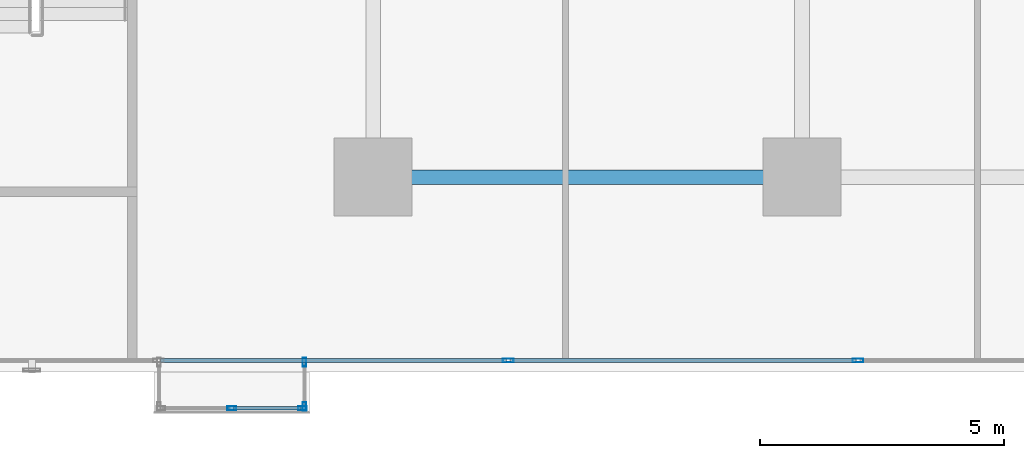
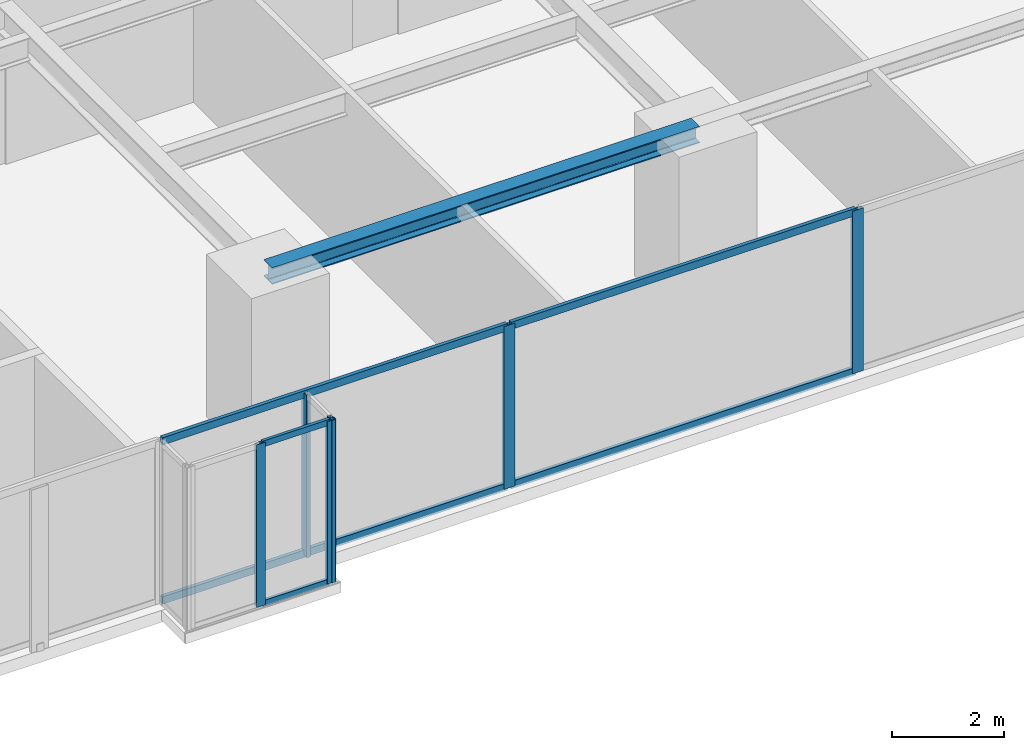
# One storey, part 9 of 30: 12 members, 1 beam, 3 elements without a shape of their own.
"""IFC4 building model written with IfcOpenShell, lengths in metres."""

from ifc_helpers import new_model, si_unit, direction, frame, origin, origin_with_axes, origin_2d, place, context, subcontext, project, spatial, hollow_rectangle, i_section, extrude, source, transform, mapped, material, layer, layer_set, material_profile, profile_set, type_object, element, aggregate, save


model = new_model("IFC4")

# Units and contexts
model_context = context("Model", 3, precision=1e-05, world=origin(), true_north=direction((0.0, 1.0)))
body_context = subcontext(model_context, "Body", "Model", "MODEL_VIEW")
ifc_project = project(units=[si_unit("LENGTHUNIT", "METRE"), si_unit("AREAUNIT", "SQUARE_METRE"), si_unit("VOLUMEUNIT", "CUBIC_METRE"), si_unit("PLANEANGLEUNIT", "RADIAN"), si_unit("MASSUNIT", "GRAM", prefix="KILO")], contexts=[model_context])

# Site, building, storey
site_placement = place(None, origin())
site = spatial("IfcSite", under=ifc_project, at=site_placement, CompositionType="ELEMENT")
building_placement = place(site_placement, origin())
building = spatial("IfcBuilding", under=site, at=building_placement, Name="Kolvaren Waterfront Exchange", CompositionType="ELEMENT")
storey_placement = place(building_placement, frame((0.0, 0.0, 52.39990234375)))
storey = spatial("IfcBuildingStorey", under=building, at=storey_placement, Name="L13", CompositionType="ELEMENT", Elevation=52.39990234375)

# Beam
ifc_material_1 = material(Name="Steel S355", Category="steel")
ifc_material_profile_1 = material_profile(ifc_material_1, i_section(OverallWidth=0.300048828125, OverallDepth=0.360107421875, WebThickness=0.012451171875, FlangeThickness=0.0224609375, FilletRadius=0.027099609375, at=origin_2d()), Name="HEB360")
ifc_profile_set_1 = profile_set([ifc_material_profile_1], Name="Steel S355")
beam_type = type_object("IfcBeamType", Name="STR-BM-HEB360", PredefinedType="SPANDREL", material=ifc_profile_set_1)
beam_placement = place(storey_placement, frame((36.800048828125, 5.199951171875, 3.360107421875), z_axis=(1.0, 0.0, 0.0), x_axis=(0.0, 1.0, 0.0)))
element("IfcBeam", 1, at=beam_placement, inside=storey, type_object=beam_type, Name="L13 east-arm spandrel S3", PredefinedType="SPANDREL", context=body_context, shape_type="SweptSolid", body=[
    extrude(i_section(OverallWidth=0.300048828125, OverallDepth=0.360107421875, WebThickness=0.012451171875, FlangeThickness=0.0224609375, FilletRadius=0.027099609375, at=origin_2d()), origin(), (0.0, 0.0, 1.0), 8.800048828125),
])

# Curtain wall, members
ifc_material_2 = material(Name="Anodised bronze aluminium 6063-T6", Category="aluminium")
ifc_layer_1 = layer(ifc_material_2, 0.219970703125, Name="Anodised bronze aluminium 6063-T6")
ifc_layer_set_1 = layer_set([ifc_layer_1], Name="Anodised bronze aluminium 6063-T6")
curtain_wall_type_1 = type_object("IfcCurtainWallType", Name="ARC-CW-SYS1", PredefinedType="USERDEFINED", material=ifc_layer_set_1)
curtain_wall_1_placement = place(storey_placement, origin())
curtain_wall_1 = element("IfcCurtainWall", 2, at=curtain_wall_1_placement, inside=storey, type_object=curtain_wall_type_1, Name="L13 stick curtain wall CW1 (CW-L13-S)", ObjectType="STICK CURTAIN WALL", PredefinedType="USERDEFINED")
ifc_material_3 = material(Name="Anodised aluminium 6063-T6", Category="aluminium")
ifc_material_profile_2 = material_profile(ifc_material_3, hollow_rectangle(XDim=0.074951171875, YDim=0.159912109375, WallThickness=0.00439453125, at=origin_2d()), Name="ALU-TRN-160x75x4.5")
ifc_profile_set_2 = profile_set([ifc_material_profile_2], Name="Anodised aluminium 6063-T6")
member_type_1 = type_object("IfcMemberType", Name="ARC-CWT-160", PredefinedType="USERDEFINED", material=ifc_profile_set_2)
shared_shape_1 = source(origin_with_axes(), body_context, "Body", "SweptSolid", [
    extrude(hollow_rectangle(XDim=0.074951171875, YDim=0.159912109375, WallThickness=0.00439453125, at=origin_2d()), origin(), (0.0, 0.0, 1.0), 7.094970703125),
])
member_1_placement = place(storey_placement, frame((32.43994140625, 1.43994140625, 0.03759765625), z_axis=(1.0, 0.0, 0.0), x_axis=(0.0, 1.0, 0.0)))
member_1 = element("IfcMember", 3, at=member_1_placement, type_object=member_type_1, Name="CW1 transom 5.1", ObjectType="TRANSOM", PredefinedType="USERDEFINED", context=body_context, shape_type="MappedRepresentation", body=[
    mapped(shared_shape_1, transform((0.0, 0.0, 0.0), x_axis=(1.0, 0.0, 0.0), y_axis=(0.0, 1.0, 0.0), z_axis=(0.0, 0.0, 1.0), scale=1.0)),
])
member_2_placement = place(storey_placement, frame((32.43994140625, 1.43994140625, 3.502685546875), z_axis=(1.0, 0.0, 0.0), x_axis=(0.0, 1.0, 0.0)))
member_2 = element("IfcMember", 4, at=member_2_placement, type_object=member_type_1, Name="CW1 transom 5.2", ObjectType="TRANSOM", PredefinedType="USERDEFINED", context=body_context, shape_type="MappedRepresentation", body=[
    mapped(shared_shape_1, transform((0.0, 0.0, 0.0), x_axis=(1.0, 0.0, 0.0), y_axis=(0.0, 1.0, 0.0), z_axis=(0.0, 0.0, 1.0), scale=1.0)),
])
member_3_placement = place(storey_placement, frame((39.614990234375, 1.43994140625, 0.03759765625), z_axis=(1.0, 0.0, 0.0), x_axis=(0.0, 1.0, 0.0)))
member_3 = element("IfcMember", 5, at=member_3_placement, type_object=member_type_1, Name="CW1 transom 6.1", ObjectType="TRANSOM", PredefinedType="USERDEFINED", context=body_context, shape_type="MappedRepresentation", body=[
    mapped(shared_shape_1, transform((0.0, 0.0, 0.0), x_axis=(1.0, 0.0, 0.0), y_axis=(0.0, 1.0, 0.0), z_axis=(0.0, 0.0, 1.0), scale=1.0)),
])
member_4_placement = place(storey_placement, frame((39.614990234375, 1.43994140625, 3.502685546875), z_axis=(1.0, 0.0, 0.0), x_axis=(0.0, 1.0, 0.0)))
member_4 = element("IfcMember", 6, at=member_4_placement, type_object=member_type_1, Name="CW1 transom 6.2", ObjectType="TRANSOM", PredefinedType="USERDEFINED", context=body_context, shape_type="MappedRepresentation", body=[
    mapped(shared_shape_1, transform((0.0, 0.0, 0.0), x_axis=(1.0, 0.0, 0.0), y_axis=(0.0, 1.0, 0.0), z_axis=(0.0, 0.0, 1.0), scale=1.0)),
])

ifc_layer_2 = layer(ifc_material_2, 0.219970703125, Name="Anodised bronze aluminium 6063-T6")
ifc_layer_set_2 = layer_set([ifc_layer_2], Name="Anodised bronze aluminium 6063-T6")
curtain_wall_type_2 = type_object("IfcCurtainWallType", Name="ARC-CW-SYS3", PredefinedType="USERDEFINED", material=ifc_layer_set_2)
curtain_wall_2_placement = place(storey_placement, origin())
curtain_wall_2 = element("IfcCurtainWall", 7, at=curtain_wall_2_placement, inside=storey, type_object=curtain_wall_type_2, Name="L13 stick curtain wall CW3 (CW-L13-BOX)", ObjectType="STICK CURTAIN WALL", PredefinedType="USERDEFINED")
ifc_material_profile_3 = material_profile(ifc_material_2, hollow_rectangle(XDim=0.074951171875, YDim=0.179931640625, WallThickness=0.00439453125, at=origin_2d()), Name="ALU-MUL-180x75x4.5")
ifc_profile_set_3 = profile_set([ifc_material_profile_3], Name="Anodised bronze aluminium 6063-T6")
member_type_2 = type_object("IfcMemberType", Name="ARC-CWM-180", PredefinedType="MULLION", material=ifc_profile_set_3)
shared_shape_2 = source(origin_with_axes(), body_context, "Body", "SweptSolid", [
    extrude(hollow_rectangle(XDim=0.074951171875, YDim=0.179931640625, WallThickness=0.00439453125, at=origin_2d()), origin(), (0.0, 0.0, 1.0), 3.5400390625),
])
member_5_placement = place(storey_placement, frame((33.89990234375, 0.4599609375, 0.0), z_axis=(0.0, 0.0, 1.0), x_axis=(0.0, 1.0, 0.0)))
member_5 = element("IfcMember", 8, at=member_5_placement, type_object=member_type_2, Name="CW3 mullion 2", PredefinedType="MULLION", context=body_context, shape_type="MappedRepresentation", body=[
    mapped(shared_shape_2, transform((0.0, 0.0, 0.0), x_axis=(1.0, 0.0, 0.0), y_axis=(0.0, 1.0, 0.0), z_axis=(0.0, 0.0, 1.0), scale=1.0)),
])
member_6_placement = place(storey_placement, frame((35.3525390625, 0.4599609375, 0.0), z_axis=(0.0, 0.0, 1.0), x_axis=(0.0, 1.0, 0.0)))
member_6 = element("IfcMember", 9, at=member_6_placement, type_object=member_type_2, Name="CW3 mullion 3", PredefinedType="MULLION", context=body_context, shape_type="MappedRepresentation", body=[
    mapped(shared_shape_2, transform((0.0, 0.0, 0.0), x_axis=(1.0, 0.0, 0.0), y_axis=(0.0, 1.0, 0.0), z_axis=(0.0, 0.0, 1.0), scale=1.0)),
])

curtain_wall_3_placement = place(storey_placement, origin())
curtain_wall_3 = element("IfcCurtainWall", 10, at=curtain_wall_3_placement, inside=storey, type_object=curtain_wall_type_2, Name="L13 stick curtain wall CW3 (CW-L13-BOX-E)", ObjectType="STICK CURTAIN WALL", PredefinedType="USERDEFINED")
member_7_placement = place(storey_placement, frame((35.389892578125, 0.49755859375, 0.0), z_axis=(0.0, 0.0, 1.0), x_axis=(-1.0, 0.0, 0.0)))
member_7 = element("IfcMember", 11, at=member_7_placement, type_object=member_type_2, Name="CW3 mullion 1", PredefinedType="MULLION", context=body_context, shape_type="MappedRepresentation", body=[
    mapped(shared_shape_2, transform((0.0, 0.0, 0.0), x_axis=(1.0, 0.0, 0.0), y_axis=(0.0, 1.0, 0.0), z_axis=(0.0, 0.0, 1.0), scale=1.0)),
])
member_8_placement = place(storey_placement, frame((35.389892578125, 1.402587890625, 0.0), z_axis=(0.0, 0.0, 1.0), x_axis=(-1.0, 0.0, 0.0)))
member_8 = element("IfcMember", 12, at=member_8_placement, type_object=member_type_2, Name="CW3 mullion 2", PredefinedType="MULLION", context=body_context, shape_type="MappedRepresentation", body=[
    mapped(shared_shape_2, transform((0.0, 0.0, 0.0), x_axis=(1.0, 0.0, 0.0), y_axis=(0.0, 1.0, 0.0), z_axis=(0.0, 0.0, 1.0), scale=1.0)),
])
aggregate(curtain_wall_3, [member_7, member_8])

# Member
ifc_material_profile_4 = material_profile(ifc_material_2, hollow_rectangle(XDim=0.06494140625, YDim=0.1298828125, WallThickness=0.00390625, at=origin_2d()), Name="ALU-TRN-130x65x4")
ifc_profile_set_4 = profile_set([ifc_material_profile_4], Name="Anodised bronze aluminium 6063-T6")
member_type_3 = type_object("IfcMemberType", Name="ARC-CWT-130", PredefinedType="USERDEFINED", material=ifc_profile_set_4)
shared_shape_3 = source(origin_with_axes(), body_context, "Body", "SweptSolid", [
    extrude(hollow_rectangle(XDim=0.06494140625, YDim=0.1298828125, WallThickness=0.00390625, at=origin_2d()), origin(), (0.0, 0.0, 1.0), 1.37744140625),
])
member_9_placement = place(storey_placement, frame((33.9375, 0.4599609375, 0.03271484375), z_axis=(1.0, 0.0, 0.0), x_axis=(0.0, 1.0, 0.0)))
member_9 = element("IfcMember", 13, at=member_9_placement, type_object=member_type_3, Name="CW3 transom 2.1", ObjectType="TRANSOM", PredefinedType="USERDEFINED", context=body_context, shape_type="MappedRepresentation", body=[
    mapped(shared_shape_3, transform((0.0, 0.0, 0.0), x_axis=(1.0, 0.0, 0.0), y_axis=(0.0, 1.0, 0.0), z_axis=(0.0, 0.0, 1.0), scale=1.0)),
])

member_10_placement = place(storey_placement, frame((33.9375, 0.4599609375, 3.507568359375), z_axis=(1.0, 0.0, 0.0), x_axis=(0.0, 1.0, 0.0)))
member_10 = element("IfcMember", 14, at=member_10_placement, type_object=member_type_3, Name="CW3 transom 2.2", ObjectType="TRANSOM", PredefinedType="USERDEFINED", context=body_context, shape_type="MappedRepresentation", body=[
    mapped(shared_shape_3, transform((0.0, 0.0, 0.0), x_axis=(1.0, 0.0, 0.0), y_axis=(0.0, 1.0, 0.0), z_axis=(0.0, 0.0, 1.0), scale=1.0)),
])

aggregate(curtain_wall_2, [member_5, member_6, member_9, member_10])

ifc_material_profile_5 = material_profile(ifc_material_3, hollow_rectangle(XDim=0.080078125, YDim=0.219970703125, WallThickness=0.0048828125, at=origin_2d()), Name="ALU-MUL-220x80x5")
ifc_profile_set_5 = profile_set([ifc_material_profile_5], Name="Anodised aluminium 6063-T6")
member_type_4 = type_object("IfcMemberType", Name="ARC-CWM-220", PredefinedType="MULLION", material=ifc_profile_set_5)
shared_shape_4 = source(origin_with_axes(), body_context, "Body", "SweptSolid", [
    extrude(hollow_rectangle(XDim=0.080078125, YDim=0.219970703125, WallThickness=0.0048828125, at=origin_2d()), origin(), (0.0, 0.0, 1.0), 3.5400390625),
])
member_11_placement = place(storey_placement, frame((39.574951171875, 1.43994140625, 0.0), z_axis=(0.0, 0.0, 1.0), x_axis=(0.0, 1.0, 0.0)))
member_11 = element("IfcMember", 15, at=member_11_placement, type_object=member_type_4, Name="CW1 mullion 6", PredefinedType="MULLION", context=body_context, shape_type="MappedRepresentation", body=[
    mapped(shared_shape_4, transform((0.0, 0.0, 0.0), x_axis=(1.0, 0.0, 0.0), y_axis=(0.0, 1.0, 0.0), z_axis=(0.0, 0.0, 1.0), scale=1.0)),
])

member_12_placement = place(storey_placement, frame((46.75, 1.43994140625, 0.0), z_axis=(0.0, 0.0, 1.0), x_axis=(0.0, 1.0, 0.0)))
member_12 = element("IfcMember", 16, at=member_12_placement, type_object=member_type_4, Name="CW1 mullion 7", PredefinedType="MULLION", context=body_context, shape_type="MappedRepresentation", body=[
    mapped(shared_shape_4, transform((0.0, 0.0, 0.0), x_axis=(1.0, 0.0, 0.0), y_axis=(0.0, 1.0, 0.0), z_axis=(0.0, 0.0, 1.0), scale=1.0)),
])

aggregate(curtain_wall_1, [member_11, member_12, member_1, member_2, member_3, member_4])

save(model, "model.ifc")
